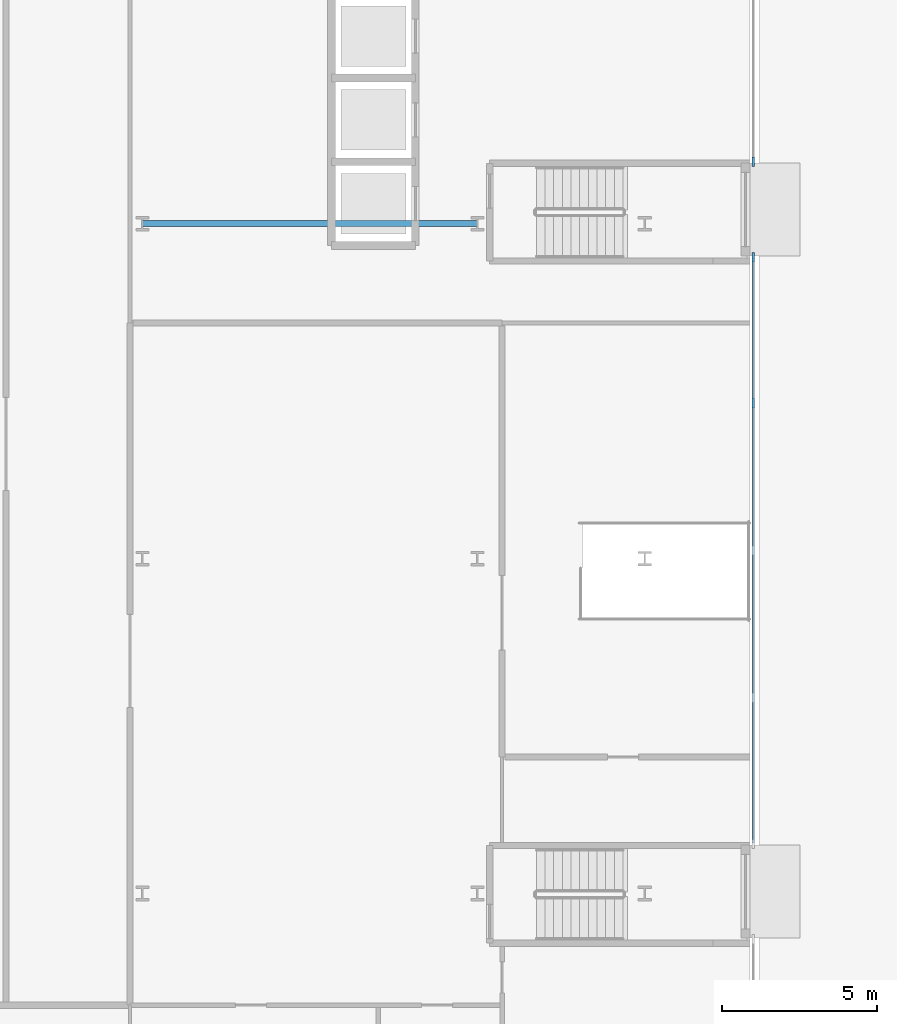
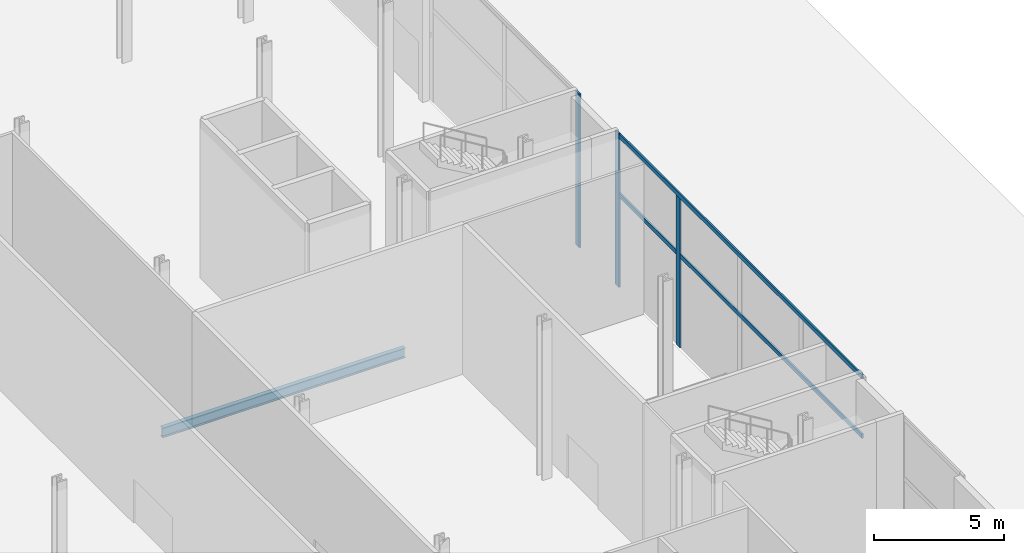
# One storey, part 11 of 46: 5 members, 1 beam, 2 elements without a shape of their own.
"""IFC4 building model written with IfcOpenShell, lengths in metres."""

from ifc_helpers import new_model, si_unit, direction, frame, origin, origin_2d, place, context, subcontext, project, spatial, rectangle, i_section, extrude, material, layer, layer_set, material_profile, profile_set, type_object, element, aggregate, save


model = new_model("IFC4")

# Units and contexts
model_context = context("Model", 3, precision=1e-05, world=origin(), true_north=direction((0.0, 1.0)))
body_context = subcontext(model_context, "Body", "Model", "MODEL_VIEW")
ifc_project = project(units=[si_unit("LENGTHUNIT", "METRE"), si_unit("AREAUNIT", "SQUARE_METRE"), si_unit("VOLUMEUNIT", "CUBIC_METRE"), si_unit("PLANEANGLEUNIT", "RADIAN"), si_unit("MASSUNIT", "GRAM", prefix="KILO")], contexts=[model_context])

# Site, building, storey
site_placement = place(None, origin())
site = spatial("IfcSite", under=ifc_project, at=site_placement, CompositionType="ELEMENT")
building_placement = place(site_placement, origin())
building = spatial("IfcBuilding", under=site, at=building_placement, Name="Kheshtan School and Residences Tower", CompositionType="ELEMENT")
storey_placement = place(building_placement, origin())
storey = spatial("IfcBuildingStorey", under=building, at=storey_placement, Name="L00", CompositionType="ELEMENT", Elevation=0.0)

# Beam
ifc_material_1 = material(Name="Steel ASTM A992 Grade 50", Category="steel")
ifc_material_profile_1 = material_profile(ifc_material_1, i_section(OverallWidth=0.194091796875, OverallDepth=0.468994140625, WebThickness=0.0126953125, FlangeThickness=0.0205078125, FilletRadius=0.01416015625, at=origin_2d()), Name="W460x106")
ifc_profile_set_1 = profile_set([ifc_material_profile_1], Name="Steel ASTM A992 Grade 50")
beam_type = type_object("IfcBeamType", Name="Beam PB2 W460x106 ASTM A992 Grade 50", PredefinedType="BEAM", material=ifc_profile_set_1)
beam_placement = place(storey_placement, frame((112.39990234375, 67.199951171875, -0.654541015625), z_axis=(1.0, 0.0, 0.0), x_axis=(0.0, 1.0, 0.0)))
element("IfcBeam", 1, at=beam_placement, inside=storey, type_object=beam_type, Name="Podium floor beam PB2", PredefinedType="BEAM", context=body_context, shape_type="SweptSolid", body=[
    extrude(i_section(OverallWidth=0.194091796875, OverallDepth=0.468994140625, WebThickness=0.0126953125, FlangeThickness=0.0205078125, FilletRadius=0.01416015625, at=origin_2d()), origin(), (0.0, 0.0, 1.0), 10.800048828125),
])

# Curtain wall, member
ifc_material_2 = material(Name="Clear low-e glass in thermally broken aluminium frame", Category="aluminium")
ifc_layer = layer(ifc_material_2, 0.300048828125)
ifc_layer_set = layer_set([ifc_layer], Name="Curtain wall CW-A")
curtain_wall_type = type_object("IfcCurtainWallType", Name="Curtain wall CW-A", PredefinedType="NOTDEFINED", material=ifc_layer_set)
curtain_wall_1_placement = place(storey_placement, origin())
curtain_wall_1 = element("IfcCurtainWall", 2, at=curtain_wall_1_placement, inside=storey, type_object=curtain_wall_type, Name="Curtain wall CWA8a", PredefinedType="NOTDEFINED")
ifc_material_3 = material(Name="Thermally broken aluminium, dark bronze anodised", Category="aluminium")
ifc_material_profile_2 = material_profile(ifc_material_3, rectangle(XDim=0.074951171875, YDim=0.300048828125, at=origin_2d()), Name="CW-A mullion 75x300")
ifc_profile_set_2 = profile_set([ifc_material_profile_2], Name="Thermally broken aluminium, dark bronze anodised")
member_type_1 = type_object("IfcMemberType", Name="CW-A mullion 75x300", PredefinedType="MULLION", material=ifc_profile_set_2)
member_1_placement = place(storey_placement, frame((132.10009765625, 69.197509765625, 0.0), z_axis=(0.0, 0.0, 1.0), x_axis=(1.0, 0.0, 0.0)))
member_1 = element("IfcMember", 3, at=member_1_placement, type_object=member_type_1, Name="CWA8a mullion 3", PredefinedType="MULLION", context=body_context, shape_type="SweptSolid", body=[
    extrude(rectangle(XDim=0.074951171875, YDim=0.300048828125, at=origin_2d()), origin(), (0.0, 0.0, 1.0), 7.25),
])
aggregate(curtain_wall_1, [member_1])

# Curtain wall, members
curtain_wall_2_placement = place(storey_placement, origin())
curtain_wall_2 = element("IfcCurtainWall", 4, at=curtain_wall_2_placement, inside=storey, type_object=curtain_wall_type, Name="Curtain wall CWA8b", PredefinedType="NOTDEFINED")
member_2_placement = place(storey_placement, frame((132.10009765625, 66.12255859375, 0.0), z_axis=(0.0, 0.0, 1.0), x_axis=(1.0, 0.0, 0.0)))
member_2 = element("IfcMember", 5, at=member_2_placement, type_object=member_type_1, Name="CWA8b mullion 1", PredefinedType="MULLION", context=body_context, shape_type="SweptSolid", body=[
    extrude(rectangle(XDim=0.074951171875, YDim=0.300048828125, at=origin_2d()), origin(), (0.0, 0.0, 1.0), 7.25),
])
member_3_placement = place(storey_placement, frame((132.10009765625, 61.409912109375, 0.0), z_axis=(0.0, 0.0, 1.0), x_axis=(1.0, 0.0, 0.0)))
member_3 = element("IfcMember", 6, at=member_3_placement, type_object=member_type_1, Name="CWA8b mullion 2", PredefinedType="MULLION", context=body_context, shape_type="SweptSolid", body=[
    extrude(rectangle(XDim=0.074951171875, YDim=0.300048828125, at=origin_2d()), origin(), (0.0, 0.0, 1.0), 7.050048828125),
])
ifc_material_profile_3 = material_profile(ifc_material_3, rectangle(XDim=0.074951171875, YDim=0.199951171875, at=origin_2d()), Name="CW-A transom 75x200")
ifc_profile_set_3 = profile_set([ifc_material_profile_3], Name="Thermally broken aluminium, dark bronze anodised")
member_type_2 = type_object("IfcMemberType", Name="CW-A transom 75x200", PredefinedType="USERDEFINED", material=ifc_profile_set_3)
member_4_placement = place(storey_placement, frame((132.10009765625, 66.0849609375, 4.35009765625), z_axis=(0.0, -1.0, 0.0), x_axis=(1.0, 0.0, 0.0)))
member_4 = element("IfcMember", 7, at=member_4_placement, type_object=member_type_2, Name="CWA8b transom 1", ObjectType="TRANSOM", PredefinedType="USERDEFINED", context=body_context, shape_type="SweptSolid", body=[
    extrude(rectangle(XDim=0.074951171875, YDim=0.199951171875, at=origin_2d()), origin(), (0.0, 0.0, 1.0), 18.849853515625),
])
member_5_placement = place(storey_placement, frame((132.10009765625, 66.0849609375, 7.14990234375), z_axis=(0.0, -1.0, 0.0), x_axis=(1.0, 0.0, 0.0)))
member_5 = element("IfcMember", 8, at=member_5_placement, type_object=member_type_2, Name="CWA8b transom 2", ObjectType="TRANSOM", PredefinedType="USERDEFINED", context=body_context, shape_type="SweptSolid", body=[
    extrude(rectangle(XDim=0.074951171875, YDim=0.199951171875, at=origin_2d()), origin(), (0.0, 0.0, 1.0), 18.849853515625),
])
aggregate(curtain_wall_2, [member_2, member_3, member_4, member_5])

save(model, "model.ifc")
